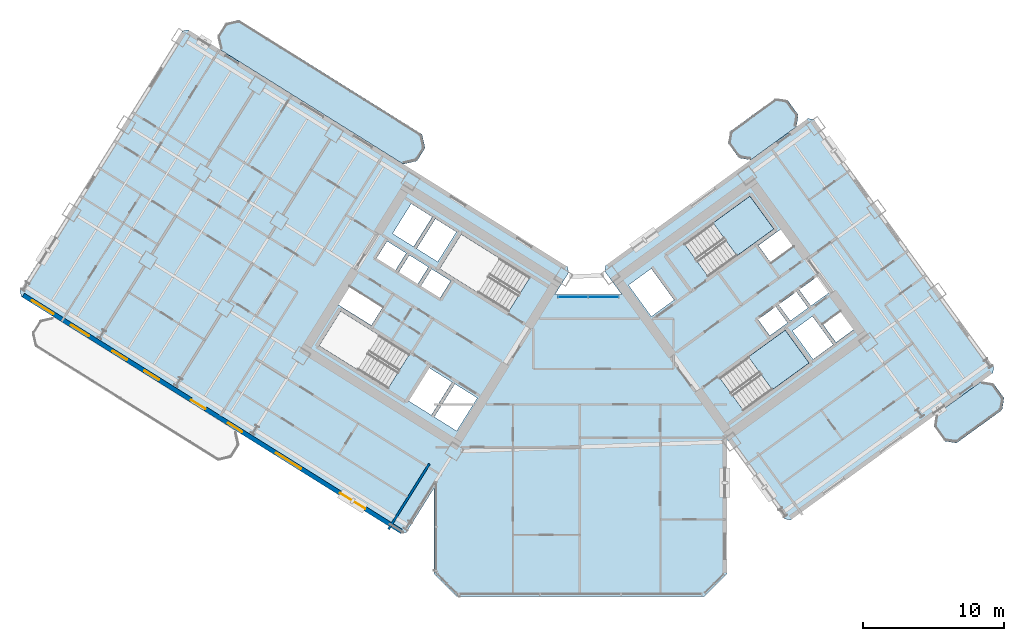
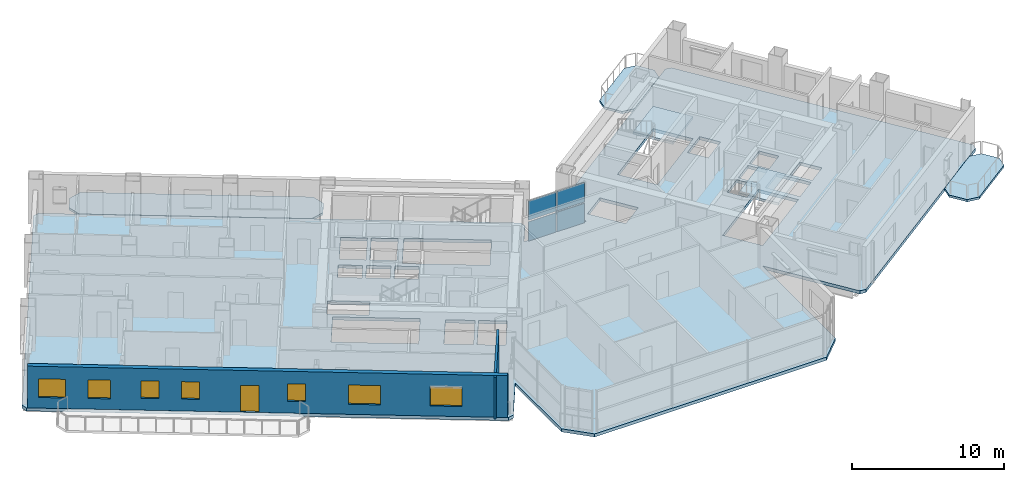
# One storey, part 14 of 25: 7 windows, 6 slabs, 4 plates, 2 walls, 1 door, 8 openings, 3 elements without a shape of their own.
"""IFC4 building model written with IfcOpenShell, lengths in metres."""

from ifc_helpers import new_model, si_unit, direction, frame, frame_2d, origin, origin_2d, place, context, subcontext, project, spatial, polyline, rectangle, outline, extrude, source, transform, mapped, material, layer, layer_set, type_object, element, fill, aggregate, save


model = new_model("IFC4")

# Units and contexts
model_context = context("Model", 3, precision=1e-05, world=origin(), true_north=direction((0.0, 1.0)))
body_context = subcontext(model_context, "Body", "Model", "MODEL_VIEW")
ifc_project = project(units=[si_unit("LENGTHUNIT", "METRE"), si_unit("AREAUNIT", "SQUARE_METRE"), si_unit("VOLUMEUNIT", "CUBIC_METRE"), si_unit("PLANEANGLEUNIT", "RADIAN"), si_unit("MASSUNIT", "GRAM", prefix="KILO")], contexts=[model_context])

# Site, building, storey
site_placement = place(None, origin())
site = spatial("IfcSite", under=ifc_project, at=site_placement, CompositionType="ELEMENT")
building_placement = place(site_placement, origin())
building = spatial("IfcBuilding", under=site, at=building_placement, Name="Tlacorven Tower", CompositionType="ELEMENT")
storey_placement = place(building_placement, frame((0.0, 0.0, 52.800048828125)))
storey = spatial("IfcBuildingStorey", under=building, at=storey_placement, Name="L13", CompositionType="ELEMENT", Elevation=52.800048828125)

# Slabs
ifc_material_1 = material(Name="Precast concrete C45/55", Category="concrete")
ifc_layer_1 = layer(ifc_material_1, 0.179931640625)
ifc_layer_set_1 = layer_set([ifc_layer_1], Name="Precast concrete C45/55")
slab_type_1 = type_object("IfcSlabType", Name="SL-BAL-180", PredefinedType="USERDEFINED", material=ifc_layer_set_1)
slab_1_placement = place(storey_placement, frame((0.0, 0.0, -0.179931640625)))
element("IfcSlab", 1, at=slab_1_placement, inside=storey, type_object=slab_type_1, Name="L13 West Wing Balcony Ribbon IN", ObjectType="BALCONY SLAB", PredefinedType="USERDEFINED", context=body_context, shape_type="SweptSolid", body=[
    extrude(outline(polyline([(30.756591796875, 34.57763671875), (17.781494140625, 42.685546875), (16.81689453125, 42.462890625), (16.236572265625, 41.5341796875), (16.459228515625, 40.569580078125), (29.434326171875, 32.4619140625), (30.39892578125, 32.6845703125), (30.979248046875, 33.613037109375), (30.756591796875, 34.57763671875)])), origin(), (0.0, 0.0, 1.0), 0.179931640625),
])
slab_2_placement = place(storey_placement, frame((0.0, 0.0, -0.179931640625)))
element("IfcSlab", 2, at=slab_2_placement, inside=storey, type_object=slab_type_1, Name="L13 East Wing Balcony Ribbon OUT", ObjectType="BALCONY SLAB", PredefinedType="USERDEFINED", context=body_context, shape_type="SweptSolid", body=[
    extrude(outline(polyline([(68.669921875, 12.678955078125), (71.906005859375, 15.0302734375), (72.03857421875, 15.8681640625), (71.27734375, 16.916015625), (70.439453125, 17.048583984375), (67.203369140625, 14.697509765625), (67.070556640625, 13.859375), (67.831787109375, 12.811767578125), (68.669921875, 12.678955078125)])), origin(), (0.0, 0.0, 1.0), 0.179931640625),
])
slab_3_placement = place(storey_placement, frame((0.0, 0.0, -0.179931640625)))
element("IfcSlab", 3, at=slab_3_placement, inside=storey, type_object=slab_type_1, Name="L13 East Wing Balcony Ribbon IN", ObjectType="BALCONY SLAB", PredefinedType="USERDEFINED", context=body_context, shape_type="SweptSolid", body=[
    extrude(outline(polyline([(54.078125, 32.762939453125), (57.314208984375, 35.114013671875), (57.44677734375, 35.9521484375), (56.685791015625, 36.999755859375), (55.84765625, 37.132568359375), (52.611572265625, 34.78125), (52.478759765625, 33.943359375), (53.239990234375, 32.8955078125), (54.078125, 32.762939453125)])), origin(), (0.0, 0.0, 1.0), 0.179931640625),
])

# Stair, slab
ifc_material_2 = material(Name="Concrete C40/50", Category="concrete")
stair_type = type_object("IfcStairType", Name="ST-CORE-DLG", PredefinedType="HALF_TURN_STAIR", material=ifc_material_2)
stair_1_placement = place(storey_placement, origin())
stair_1 = element("IfcStair", 4, at=stair_1_placement, inside=storey, type_object=stair_type, Name="L13 Protected Exit Stair East 1", PredefinedType="HALF_TURN_STAIR")
ifc_layer_2 = layer(ifc_material_2, 0.199951171875)
ifc_layer_set_2 = layer_set([ifc_layer_2], Name="Concrete C40/50")
slab_type_2 = type_object("IfcSlabType", Name="SL-LND-200", PredefinedType="LANDING", material=ifc_layer_set_2)
slab_4_placement = place(storey_placement, frame((0.0, 0.0, 1.599853515625)))
slab_4 = element("IfcSlab", 5, at=slab_4_placement, type_object=slab_type_2, Name="ST-E1 landing 1", PredefinedType="LANDING", context=body_context, shape_type="SweptSolid", body=[
    extrude(outline(polyline([(53.09765625, 25.962890625), (55.7109375, 27.861572265625), (54.01806640625, 30.19140625), (51.40478515625, 28.29296875), (53.09765625, 25.962890625)])), origin(), (0.0, 0.0, 1.0), 0.2001953125),
])
aggregate(stair_1, [slab_4])

stair_2_placement = place(storey_placement, origin())
stair_2 = element("IfcStair", 6, at=stair_2_placement, inside=storey, type_object=stair_type, Name="L13 Protected Exit Stair East 2", PredefinedType="HALF_TURN_STAIR")
slab_5_placement = place(storey_placement, frame((0.0, 0.0, 1.599853515625)))
slab_5 = element("IfcSlab", 7, at=slab_5_placement, type_object=slab_type_2, Name="ST-E2 landing 1", PredefinedType="LANDING", context=body_context, shape_type="SweptSolid", body=[
    extrude(outline(polyline([(55.601806640625, 16.4599609375), (58.21484375, 18.3583984375), (56.52197265625, 20.6884765625), (53.908935546875, 18.789794921875), (55.601806640625, 16.4599609375)])), origin(), (0.0, 0.0, 1.0), 0.2001953125),
])
aggregate(stair_2, [slab_5])

# Slab
ifc_layer_3 = layer(ifc_material_2, 0.25)
ifc_layer_set_3 = layer_set([ifc_layer_3], Name="Concrete C40/50")
slab_type_3 = type_object("IfcSlabType", Name="SL-TWR-250", PredefinedType="FLOOR", material=ifc_layer_set_3)
slab_6_placement = place(storey_placement, frame((0.0, 0.0, -0.25)))
element("IfcSlab", 8, at=slab_6_placement, inside=storey, type_object=slab_type_3, Name="L13 Boomerang Tower Floor Slab", PredefinedType="FLOOR", context=body_context, shape_type="SweptSolid", body=[
    extrude(outline(polyline([(52.39990234375, 3.39990234375), (50.800048828125, 1.800048828125), (33.199951171875, 1.800048828125), (31.60009765625, 3.39990234375), (31.60009765625, 9.470703125), (29.652587890625, 6.35400390625), (29.2392578125, 6.258544921875), (2.339111328125, 23.067626953125), (2.24365234375, 23.481201171875), (13.75341796875, 41.900634765625), (14.1669921875, 41.99609375), (41.06689453125, 25.18701171875), (41.162353515625, 24.773681640625), (40.178955078125, 23.199951171875), (44.932373046875, 23.199951171875), (43.723876953125, 24.86328125), (43.790283203125, 25.2822265625), (58.1259765625, 35.69775390625), (58.545166015625, 35.63134765625), (71.311767578125, 18.0595703125), (71.245361328125, 17.640380859375), (56.90966796875, 7.224853515625), (56.49072265625, 7.291259765625), (52.39990234375, 12.921630859375), (52.39990234375, 3.39990234375)]), holes=[polyline([(29.865478515625, 18.979736328125), (24.9892578125, 22.02685546875), (23.463134765625, 19.58447265625), (28.33935546875, 16.537353515625), (29.865478515625, 18.979736328125)]), polyline([(38.4169921875, 24.4375), (33.540771484375, 27.484375), (32.0146484375, 25.0419921875), (36.890869140625, 21.9951171875), (38.4169921875, 24.4375)]), polyline([(51.05908203125, 24.481689453125), (55.7109375, 27.861572265625), (54.01806640625, 30.19140625), (49.3662109375, 26.811767578125), (51.05908203125, 24.481689453125)]), polyline([(53.56298828125, 14.978759765625), (58.21484375, 18.3583984375), (56.52197265625, 20.6884765625), (51.8701171875, 17.30859375), (53.56298828125, 14.978759765625)]), polyline([(34.682373046875, 15.87548828125), (33.088134765625, 16.871826171875), (31.62548828125, 14.531005859375), (33.2197265625, 13.534912109375), (34.682373046875, 15.87548828125)]), polyline([(32.884521484375, 16.9990234375), (31.2392578125, 18.02685546875), (29.77685546875, 15.686279296875), (31.421875, 14.658203125), (32.884521484375, 16.9990234375)]), polyline([(47.0234375, 21.648681640625), (48.6416015625, 22.82421875), (47.019287109375, 25.05712890625), (45.401123046875, 23.881591796875), (47.0234375, 21.648681640625)]), polyline([(33.197265625, 27.65185546875), (31.704833984375, 28.58447265625), (30.3798828125, 26.46435546875), (31.87255859375, 25.53173828125), (33.197265625, 27.65185546875)]), polyline([(31.484375, 28.722412109375), (29.99169921875, 29.655029296875), (28.6669921875, 27.534912109375), (30.159423828125, 26.602294921875), (31.484375, 28.722412109375)]), polyline([(32.794921875, 24.17724609375), (31.43798828125, 25.025146484375), (30.685546875, 23.82080078125), (32.042236328125, 22.972900390625), (32.794921875, 24.17724609375)]), polyline([(31.217529296875, 25.162841796875), (29.860595703125, 26.0107421875), (29.108154296875, 24.806396484375), (30.465087890625, 23.958740234375), (31.217529296875, 25.162841796875)]), polyline([(29.64013671875, 26.1484375), (28.283203125, 26.996337890625), (27.53076171875, 25.792236328125), (28.8876953125, 24.9443359375), (29.64013671875, 26.1484375)]), polyline([(55.427734375, 20.288818359375), (56.68994140625, 21.205810546875), (55.855224609375, 22.354736328125), (54.59326171875, 21.437744140625), (55.427734375, 20.288818359375)]), polyline([(56.884033203125, 21.346923828125), (58.146240234375, 22.263916015625), (57.3115234375, 23.41259765625), (56.04931640625, 22.495849609375), (56.884033203125, 21.346923828125)]), polyline([(58.34033203125, 22.405029296875), (59.602294921875, 23.322021484375), (58.767578125, 24.470703125), (57.505615234375, 23.5537109375), (58.34033203125, 22.405029296875)]), polyline([(58.498779296875, 18.614013671875), (59.922607421875, 19.648681640625), (58.453125, 21.671142578125), (57.029296875, 20.63671875), (58.498779296875, 18.614013671875)]), polyline([(27.96142578125, 22.2919921875), (25.603759765625, 23.76513671875), (24.80908203125, 22.4931640625), (27.16650390625, 21.02001953125), (27.96142578125, 22.2919921875)]), polyline([(55.490478515625, 25.4765625), (57.092529296875, 26.640380859375), (56.210693359375, 27.85400390625), (54.60888671875, 26.690185546875), (55.490478515625, 25.4765625)]), polyline([(60.12109375, 19.817626953125), (61.38330078125, 20.734619140625), (60.45458984375, 22.012939453125), (59.192626953125, 21.095947265625), (60.12109375, 19.817626953125)])]), origin(), (0.0, 0.0, 1.0), 0.25),
])

# Curtain wall, plates
ifc_material_3 = material(Name="Dark solar low-E double glazing in aluminium frame", Category="aluminium")
curtain_wall_type = type_object("IfcCurtainWallType", Name="CW-TWR-LOW", PredefinedType="USERDEFINED", material=ifc_material_3)
curtain_wall_placement = place(storey_placement, origin())
curtain_wall = element("IfcCurtainWall", 9, at=curtain_wall_placement, inside=storey, type_object=curtain_wall_type, Name="L13 CW-TWR-LOW Curtain Wall 74", ObjectType="UNITISED CURTAIN WALL", PredefinedType="USERDEFINED")
ifc_material_4 = material(Name="Dark solar double low-E glazing", Category="glass")
ifc_layer_4 = layer(ifc_material_4, 0.031982421875)
ifc_layer_set_4 = layer_set([ifc_layer_4], Name="Dark solar double low-E glazing")
plate_type = type_object("IfcPlateType", Name="CWP-02", PredefinedType="CURTAIN_PANEL", material=ifc_layer_set_4)
shared_shape_1 = source(origin(), body_context, "Body", "SweptSolid", [
    extrude(rectangle(XDim=2.110595703125, YDim=0.031982421875, at=origin_2d()), origin(), (0.0, 0.0, 1.0), 1.552978515625),
])
plate_1_placement = place(storey_placement, frame((41.47802734375, 23.0400390625, 0.06103515625), z_axis=(0.0, 0.0, 1.0), x_axis=(1.0, 0.0, 0.0)))
plate_1 = element("IfcPlate", 10, at=plate_1_placement, type_object=plate_type, Name="CW-L13-074 Glazing Panel 1", PredefinedType="CURTAIN_PANEL", context=body_context, shape_type="MappedRepresentation", body=[
    mapped(shared_shape_1, transform((0.0, 0.0, 0.0), scale=1.0)),
])
plate_2_placement = place(storey_placement, frame((41.47802734375, 23.0400390625, 1.73583984375), z_axis=(0.0, 0.0, 1.0), x_axis=(1.0, 0.0, 0.0)))
plate_2 = element("IfcPlate", 11, at=plate_2_placement, type_object=plate_type, Name="CW-L13-074 Glazing Panel 2", PredefinedType="CURTAIN_PANEL", context=body_context, shape_type="MappedRepresentation", body=[
    mapped(shared_shape_1, transform((0.0, 0.0, 0.0), scale=1.0)),
])
plate_3_placement = place(storey_placement, frame((43.640625, 23.0400390625, 0.06103515625), z_axis=(0.0, 0.0, 1.0), x_axis=(1.0, 0.0, 0.0)))
plate_3 = element("IfcPlate", 12, at=plate_3_placement, type_object=plate_type, Name="CW-L13-074 Glazing Panel 3", PredefinedType="CURTAIN_PANEL", context=body_context, shape_type="MappedRepresentation", body=[
    mapped(shared_shape_1, transform((0.0, 0.0, 0.0), scale=1.0)),
])
plate_4_placement = place(storey_placement, frame((43.640625, 23.0400390625, 1.73583984375), z_axis=(0.0, 0.0, 1.0), x_axis=(1.0, 0.0, 0.0)))
plate_4 = element("IfcPlate", 13, at=plate_4_placement, type_object=plate_type, Name="CW-L13-074 Glazing Panel 4", PredefinedType="CURTAIN_PANEL", context=body_context, shape_type="MappedRepresentation", body=[
    mapped(shared_shape_1, transform((0.0, 0.0, 0.0), scale=1.0)),
])
aggregate(curtain_wall, [plate_1, plate_2, plate_3, plate_4])

# Wall
ifc_material_5 = material(Name="Gypsum plasterboard acoustic partition", Category="gypsum")
ifc_layer_5 = layer(ifc_material_5, 0.159912109375)
ifc_layer_set_5 = layer_set([ifc_layer_5], Name="Gypsum plasterboard acoustic partition")
wall_type_1 = type_object("IfcWallType", Name="WL-DEM-160", PredefinedType="PARTITIONING", material=ifc_layer_set_5)
wall_1_placement = place(storey_placement, frame((31.282470703125, 11.2080078125, 0.0), z_axis=(0.0, 0.0, 1.0), x_axis=(-0.529938869374, -0.84803584519, 0.0)))
element("IfcWall", 14, at=wall_1_placement, inside=storey, type_object=wall_type_1, Name="L13 WC West Throat Wall", PredefinedType="PARTITIONING", context=body_context, shape_type="SweptSolid", body=[
    extrude(rectangle(XDim=5.47998046875, YDim=0.159912109375, at=frame_2d((2.739990234375, 0.0))), origin(), (0.0, 0.0, 1.0), 3.33984375),
])

# Wall, openings, door, windows
ifc_layer_6 = layer(ifc_material_1, 0.320068359375)
ifc_layer_set_6 = layer_set([ifc_layer_6], Name="Precast concrete C45/55")
wall_type_2 = type_object("IfcWallType", Name="WL-EXT-320", PredefinedType="STANDARD", material=ifc_layer_set_6)
wall_2_placement = place(storey_placement, frame((29.267822265625, 6.429443359375, 0.0), z_axis=(0.0, 0.0, 1.0), x_axis=(-0.848049971435, 0.529916263149, 0.0)))
wall_2 = element("IfcWall", 15, at=wall_2_placement, inside=storey, type_object=wall_type_2, Name="L13 Masonry-Frame Recessed Facade Wall 1", PredefinedType="STANDARD", context=body_context, shape_type="SweptSolid", body=[
    extrude(rectangle(XDim=31.587646484375, YDim=0.320068359375, at=frame_2d((15.7939453125, 0.0))), origin(), (0.0, 0.0, 1.0), 3.349853515625),
])
opening_1_placement = place(wall_2_placement, frame((16.36181640625, 0.0, 0.0)))
opening_1 = element("IfcOpeningElement", 16, at=opening_1_placement, cuts=wall_2, Name="Opening D05", PredefinedType="OPENING", context=body_context, shape_type="SweptSolid", body=[
    extrude(rectangle(XDim=1.199951171875, YDim=2.14990234375, at=frame_2d((0.60009765625, 1.074951171875))), frame((0.0, 0.169921875, 0.0), z_axis=(0.0, -1.0, 0.0), x_axis=(1.0, 0.0, 0.0)), (0.0, 0.0, 1.0), 0.340087890625),
])
opening_2_placement = place(wall_2_placement, frame((2.98876953125, 0.0, 0.800048828125)))
opening_2 = element("IfcOpeningElement", 17, at=opening_2_placement, cuts=wall_2, Name="Opening WN04", PredefinedType="OPENING", context=body_context, shape_type="SweptSolid", body=[
    extrude(rectangle(XDim=2.10009765625, YDim=1.550048828125, at=frame_2d((1.050048828125, 0.77490234375))), frame((0.0, 0.169921875, 0.0), z_axis=(0.0, -1.0, 0.0), x_axis=(1.0, 0.0, 0.0)), (0.0, 0.0, 1.0), 0.340087890625),
])
opening_3_placement = place(wall_2_placement, frame((8.358642578125, 0.0, 0.800048828125)))
opening_3 = element("IfcOpeningElement", 18, at=opening_3_placement, cuts=wall_2, Name="Opening WN04", PredefinedType="OPENING", context=body_context, shape_type="SweptSolid", body=[
    extrude(rectangle(XDim=2.10009765625, YDim=1.550048828125, at=frame_2d((1.050048828125, 0.77490234375))), frame((0.0, 0.169921875, 0.0), z_axis=(0.0, -1.0, 0.0), x_axis=(1.0, 0.0, 0.0)), (0.0, 0.0, 1.0), 0.340087890625),
])
opening_4_placement = place(wall_2_placement, frame((13.28369140625, 0.0, 0.949951171875)))
opening_4 = element("IfcOpeningElement", 19, at=opening_4_placement, cuts=wall_2, Name="Opening WN03", PredefinedType="OPENING", context=body_context, shape_type="SweptSolid", body=[
    extrude(rectangle(XDim=1.199951171875, YDim=1.39990234375, at=frame_2d((0.60009765625, 0.699951171875))), frame((0.0, 0.169921875, 0.0), z_axis=(0.0, -1.0, 0.0), x_axis=(1.0, 0.0, 0.0)), (0.0, 0.0, 1.0), 0.340087890625),
])
opening_5_placement = place(wall_2_placement, frame((20.2587890625, 0.0, 0.949951171875)))
opening_5 = element("IfcOpeningElement", 20, at=opening_5_placement, cuts=wall_2, Name="Opening WN03", PredefinedType="OPENING", context=body_context, shape_type="SweptSolid", body=[
    extrude(rectangle(XDim=1.199951171875, YDim=1.39990234375, at=frame_2d((0.60009765625, 0.699951171875))), frame((0.0, 0.169921875, 0.0), z_axis=(0.0, -1.0, 0.0), x_axis=(1.0, 0.0, 0.0)), (0.0, 0.0, 1.0), 0.340087890625),
])
opening_6_placement = place(wall_2_placement, frame((22.9287109375, 0.0, 0.949951171875)))
opening_6 = element("IfcOpeningElement", 21, at=opening_6_placement, cuts=wall_2, Name="Opening WN03", PredefinedType="OPENING", context=body_context, shape_type="SweptSolid", body=[
    extrude(rectangle(XDim=1.199951171875, YDim=1.39990234375, at=frame_2d((0.60009765625, 0.699951171875))), frame((0.0, 0.169921875, 0.0), z_axis=(0.0, -1.0, 0.0), x_axis=(1.0, 0.0, 0.0)), (0.0, 0.0, 1.0), 0.340087890625),
])
opening_7_placement = place(wall_2_placement, frame((26.106201171875, 0.0, 0.85009765625)))
opening_7 = element("IfcOpeningElement", 22, at=opening_7_placement, cuts=wall_2, Name="Opening WN02", PredefinedType="OPENING", context=body_context, shape_type="SweptSolid", body=[
    extrude(rectangle(XDim=1.5, YDim=1.5, at=frame_2d((0.75, 0.75))), frame((0.0, 0.169921875, 0.0), z_axis=(0.0, -1.0, 0.0), x_axis=(1.0, 0.0, 0.0)), (0.0, 0.0, 1.0), 0.340087890625),
])
opening_8_placement = place(wall_2_placement, frame((29.068115234375, 0.0, 0.85009765625)))
opening_8 = element("IfcOpeningElement", 23, at=opening_8_placement, cuts=wall_2, Name="Opening WN01", PredefinedType="OPENING", context=body_context, shape_type="SweptSolid", body=[
    extrude(rectangle(XDim=1.800048828125, YDim=1.5, at=frame_2d((0.89990234375, 0.75))), frame((0.0, 0.169921875, 0.0), z_axis=(0.0, -1.0, 0.0), x_axis=(1.0, 0.0, 0.0)), (0.0, 0.0, 1.0), 0.340087890625),
])
ifc_material_6 = material(Name="Powder-coated aluminium and timber door", Category="wood")
door_type = type_object("IfcDoorType", Name="DR-EXT-BALC-1200", OperationType="NOTDEFINED", PredefinedType="DOOR", material=ifc_material_6)
shared_shape_2 = source(origin(), body_context, "Body", "SweptSolid", [
    extrude(rectangle(XDim=1.199951171875, YDim=2.14990234375, at=frame_2d((0.60009765625, 1.074951171875))), frame((0.0, 0.02490234375, 0.0), z_axis=(0.0, -1.0, 0.0), x_axis=(1.0, 0.0, 0.0)), (0.0, 0.0, 1.0), 0.050048828125),
])
door_placement = place(opening_1_placement, origin())
door = element("IfcDoor", 24, at=door_placement, inside=storey, type_object=door_type, Name="L13 Outdoor Access Door BAL-L13-W-OUT", OperationType="SINGLE_SWING_LEFT", OverallHeight=2.14990234375, OverallWidth=1.199951171875, PredefinedType="DOOR", context=body_context, shape_type="MappedRepresentation", body=[
    mapped(shared_shape_2, transform((0.0, 0.0, 0.0), scale=1.0)),
])
fill(opening_1, door)
ifc_material_7 = material(Name="Dark solar low-E double glazing in anodised aluminium frame", Category="aluminium")
window_type_1 = type_object("IfcWindowType", Name="WN-APT-2100X1750", PartitioningType="SINGLE_PANEL", PredefinedType="WINDOW", material=ifc_material_7)
shared_shape_3 = source(origin(), body_context, "Body", "SweptSolid", [
    extrude(rectangle(XDim=2.10009765625, YDim=1.550048828125, at=frame_2d((1.050048828125, 0.77490234375))), frame((0.0, 0.030029296875, 0.0), z_axis=(0.0, -1.0, 0.0), x_axis=(1.0, 0.0, 0.0)), (0.0, 0.0, 1.0), 0.06005859375),
])
window_1_placement = place(opening_2_placement, origin())
window_1 = element("IfcWindow", 25, at=window_1_placement, inside=storey, type_object=window_type_1, Name="L13 Recessed Masonry-Frame Window L13-01.1", OverallHeight=1.550048828125, OverallWidth=2.10009765625, PartitioningType="SINGLE_PANEL", PredefinedType="WINDOW", context=body_context, shape_type="MappedRepresentation", body=[
    mapped(shared_shape_3, transform((0.0, 0.0, 0.0), scale=1.0)),
])
fill(opening_2, window_1)
window_2_placement = place(opening_3_placement, origin())
window_2 = element("IfcWindow", 26, at=window_2_placement, inside=storey, type_object=window_type_1, Name="L13 Recessed Masonry-Frame Window L13-01.2", OverallHeight=1.550048828125, OverallWidth=2.10009765625, PartitioningType="SINGLE_PANEL", PredefinedType="WINDOW", context=body_context, shape_type="MappedRepresentation", body=[
    mapped(shared_shape_3, transform((0.0, 0.0, 0.0), scale=1.0)),
])
fill(opening_3, window_2)
window_type_2 = type_object("IfcWindowType", Name="WN-APT-1200X1500", PartitioningType="SINGLE_PANEL", PredefinedType="WINDOW", material=ifc_material_7)
shared_shape_4 = source(origin(), body_context, "Body", "SweptSolid", [
    extrude(rectangle(XDim=1.199951171875, YDim=1.39990234375, at=frame_2d((0.60009765625, 0.699951171875))), frame((0.0, 0.030029296875, 0.0), z_axis=(0.0, -1.0, 0.0), x_axis=(1.0, 0.0, 0.0)), (0.0, 0.0, 1.0), 0.06005859375),
])
window_3_placement = place(opening_4_placement, origin())
window_3 = element("IfcWindow", 27, at=window_3_placement, inside=storey, type_object=window_type_2, Name="L13 Recessed Masonry-Frame Window L13-01.3", OverallHeight=1.39990234375, OverallWidth=1.199951171875, PartitioningType="SINGLE_PANEL", PredefinedType="WINDOW", context=body_context, shape_type="MappedRepresentation", body=[
    mapped(shared_shape_4, transform((0.0, 0.0, 0.0), scale=1.0)),
])
fill(opening_4, window_3)
window_4_placement = place(opening_5_placement, origin())
window_4 = element("IfcWindow", 28, at=window_4_placement, inside=storey, type_object=window_type_2, Name="L13 Recessed Masonry-Frame Window L13-01.4", OverallHeight=1.39990234375, OverallWidth=1.199951171875, PartitioningType="SINGLE_PANEL", PredefinedType="WINDOW", context=body_context, shape_type="MappedRepresentation", body=[
    mapped(shared_shape_4, transform((0.0, 0.0, 0.0), scale=1.0)),
])
fill(opening_5, window_4)
window_5_placement = place(opening_6_placement, origin())
window_5 = element("IfcWindow", 29, at=window_5_placement, inside=storey, type_object=window_type_2, Name="L13 Recessed Masonry-Frame Window L13-01.5", OverallHeight=1.39990234375, OverallWidth=1.199951171875, PartitioningType="SINGLE_PANEL", PredefinedType="WINDOW", context=body_context, shape_type="MappedRepresentation", body=[
    mapped(shared_shape_4, transform((0.0, 0.0, 0.0), scale=1.0)),
])
fill(opening_6, window_5)
window_type_3 = type_object("IfcWindowType", Name="WN-APT-1800X1650", PartitioningType="SINGLE_PANEL", PredefinedType="WINDOW", material=ifc_material_7)
shared_shape_5 = source(origin(), body_context, "Body", "SweptSolid", [
    extrude(rectangle(XDim=1.800048828125, YDim=1.5, at=frame_2d((0.89990234375, 0.75))), frame((0.0, 0.030029296875, 0.0), z_axis=(0.0, -1.0, 0.0), x_axis=(1.0, 0.0, 0.0)), (0.0, 0.0, 1.0), 0.06005859375),
])
window_6_placement = place(opening_8_placement, origin())
window_6 = element("IfcWindow", 30, at=window_6_placement, inside=storey, type_object=window_type_3, Name="L13 Recessed Masonry-Frame Window L13-01.7", OverallHeight=1.5, OverallWidth=1.800048828125, PartitioningType="SINGLE_PANEL", PredefinedType="WINDOW", context=body_context, shape_type="MappedRepresentation", body=[
    mapped(shared_shape_5, transform((0.0, 0.0, 0.0), scale=1.0)),
])
fill(opening_8, window_6)
window_type_4 = type_object("IfcWindowType", Name="WN-APT-1500X1650", PartitioningType="SINGLE_PANEL", PredefinedType="WINDOW", material=ifc_material_7)
shared_shape_6 = source(origin(), body_context, "Body", "SweptSolid", [
    extrude(rectangle(XDim=1.5, YDim=1.5, at=frame_2d((0.75, 0.75))), frame((0.0, 0.030029296875, 0.0), z_axis=(0.0, -1.0, 0.0), x_axis=(1.0, 0.0, 0.0)), (0.0, 0.0, 1.0), 0.06005859375),
])
window_7_placement = place(opening_7_placement, origin())
window_7 = element("IfcWindow", 31, at=window_7_placement, inside=storey, type_object=window_type_4, Name="L13 Recessed Masonry-Frame Window L13-01.6", OverallHeight=1.5, OverallWidth=1.5, PartitioningType="SINGLE_PANEL", PredefinedType="WINDOW", context=body_context, shape_type="MappedRepresentation", body=[
    mapped(shared_shape_6, transform((0.0, 0.0, 0.0), scale=1.0)),
])
fill(opening_7, window_7)

save(model, "model.ifc")
